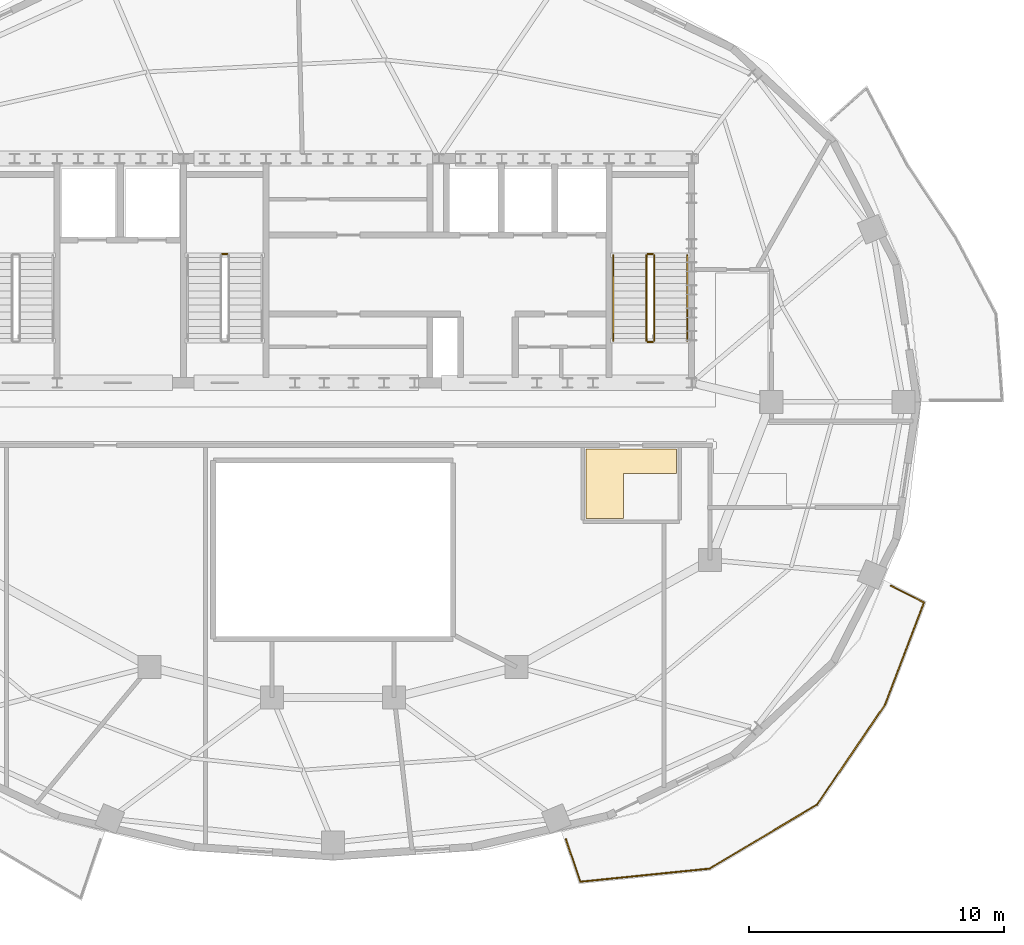
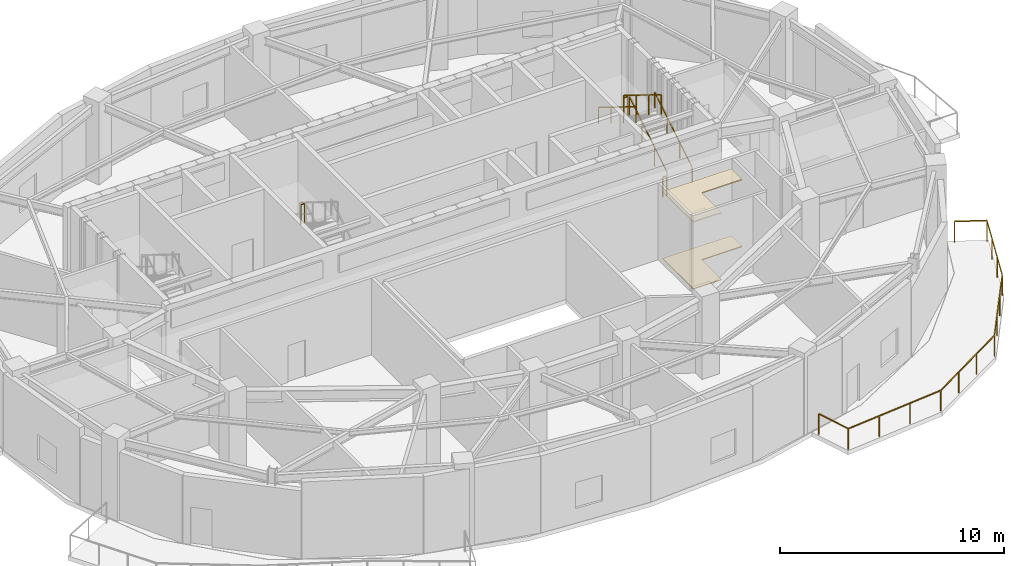
# One storey, part 8 of 9: 8 railings, 2 coverings.
"""IFC4 building model written with IfcOpenShell, lengths in metres."""

from ifc_helpers import new_model, si_unit, direction, frame, origin, origin_2d, place, context, subcontext, project, spatial, polyline, rectangle, outline, extrude, material, layer, layer_set, type_object, element, save


model = new_model("IFC4")

# Units and contexts
model_context = context("Model", 3, precision=1e-05, world=origin(), true_north=direction((0.0, 1.0)))
body_context = subcontext(model_context, "Body", "Model", "MODEL_VIEW")
ifc_project = project(units=[si_unit("LENGTHUNIT", "METRE"), si_unit("AREAUNIT", "SQUARE_METRE"), si_unit("VOLUMEUNIT", "CUBIC_METRE"), si_unit("PLANEANGLEUNIT", "RADIAN"), si_unit("MASSUNIT", "GRAM", prefix="KILO")], contexts=[model_context])

# Site, building, storey
site_placement = place(None, origin())
site = spatial("IfcSite", under=ifc_project, at=site_placement, CompositionType="ELEMENT")
building_placement = place(site_placement, origin())
building = spatial("IfcBuilding", under=site, at=building_placement, Name="Haldorwick Loom Tower", CompositionType="ELEMENT")
storey_placement = place(building_placement, frame((0.0, 0.0, 282.0)))
storey = spatial("IfcBuildingStorey", under=building, at=storey_placement, Name="L76", CompositionType="ELEMENT", Elevation=282.0)

# Coverings
ifc_material_1 = material(Name="Mineral Fibre Acoustic Ceiling Tile")
ifc_layer_1 = layer(ifc_material_1, 0.054931640625, Name="Mineral Fibre Acoustic Ceiling Tile")
ifc_layer_set_1 = layer_set([ifc_layer_1], Name="Mineral Fibre Acoustic Ceiling Tile")
covering_type_1 = type_object("IfcCoveringType", Name="ARC-COV-CEIL2", PredefinedType="CEILING", material=ifc_layer_set_1)
covering_1_placement = place(storey_placement, frame((0.0, 0.0, 3.64501953125)))
element("IfcCovering", 1, at=covering_1_placement, inside=storey, type_object=covering_type_1, Name="L76 Acoustic Suspended Ceiling 2", PredefinedType="CEILING", context=body_context, shape_type="SweptSolid", body=[
    extrude(outline(polyline([(45.929931640625, 24.159912109375), (45.929931640625, 21.429931640625), (47.39990234375, 21.429931640625), (47.39990234375, 23.199951171875), (49.469970703125, 23.199951171875), (49.469970703125, 24.159912109375), (45.929931640625, 24.159912109375)])), origin(), (0.0, 0.0, 1.0), 0.054931640625),
])
ifc_material_2 = material(Name="Polished Aggregate Terrazzo Finish")
ifc_layer_2 = layer(ifc_material_2, 0.044921875, Name="Polished Aggregate Terrazzo Finish")
ifc_layer_set_2 = layer_set([ifc_layer_2], Name="Polished Aggregate Terrazzo Finish")
covering_type_2 = type_object("IfcCoveringType", Name="ARC-COV-FLOOR2", PredefinedType="FLOORING", material=ifc_layer_set_2)
covering_2_placement = place(storey_placement, origin())
element("IfcCovering", 2, at=covering_2_placement, inside=storey, type_object=covering_type_2, Name="L76 Floor Finish 2", PredefinedType="FLOORING", context=body_context, shape_type="SweptSolid", body=[
    extrude(outline(polyline([(45.929931640625, 24.159912109375), (45.929931640625, 21.429931640625), (47.39990234375, 21.429931640625), (47.39990234375, 23.199951171875), (49.469970703125, 23.199951171875), (49.469970703125, 24.159912109375), (45.929931640625, 24.159912109375)])), origin(), (0.0, 0.0, 1.0), 0.044921875),
])

# Railings
ifc_material_3 = material(Name="Galvanized Steel CSA G40.21 350W", Category="steel")
railing_type_1 = type_object("IfcRailingType", Name="ARC-RLG-BAL115", PredefinedType="BALUSTRADE", material=ifc_material_3)
railing_1_placement = place(storey_placement, frame((57.896728515625, 18.78564453125, 0.0)))
element("IfcRailing", 3, at=railing_1_placement, inside=storey, type_object=railing_type_1, Name="L76 Outdoor Terrace Guardrail SLB-L76-BAL_SE-1", PredefinedType="BALUSTRADE", context=body_context, shape_type="SweptSolid", body=[
    extrude(rectangle(XDim=0.048095703125, YDim=0.048095703125, at=origin_2d()), frame((0.0, 0.0, 1.1259765625), z_axis=(0.891886326433, -0.452259638616, 0.0), x_axis=(0.452259638616, 0.891886326433, 0.0)), (0.0, 0.0, 1.0), 1.449462890625),
    extrude(rectangle(XDim=0.048095703125, YDim=0.048095703125, at=origin_2d()), frame((1.292724609375, -0.655517578125, 1.1259765625), z_axis=(-0.35620780391, -0.934406763906, 0.0), x_axis=(0.934406763906, -0.35620780391, 0.0)), (0.0, 0.0, 1.0), 4.300048828125),
    extrude(rectangle(XDim=0.048095703125, YDim=0.048095703125, at=origin_2d()), frame((-0.239013671875, -4.673583984375, 1.1259765625), z_axis=(-0.562345305893, -0.826902507518, 0.0), x_axis=(0.826902507518, -0.562345305893, 0.0)), (0.0, 0.0, 1.0), 4.7314453125),
    extrude(rectangle(XDim=0.048095703125, YDim=0.048095703125, at=origin_2d()), frame((-2.899658203125, -8.5859375, 1.1259765625), z_axis=(-0.859224739897, -0.511598325202, 0.0), x_axis=(0.511598325202, -0.859224739897, 0.0)), (0.0, 0.0, 1.0), 4.911865234375),
    extrude(rectangle(XDim=0.048095703125, YDim=0.048095703125, at=origin_2d()), frame((-7.1201171875, -11.098876953125, 1.1259765625), z_axis=(-0.994865977109, -0.101201223264, 0.0), x_axis=(0.101201223264, -0.994865977109, 0.0)), (0.0, 0.0, 1.0), 5.097412109375),
    extrude(rectangle(XDim=0.048095703125, YDim=0.048095703125, at=origin_2d()), frame((-12.19140625, -11.61474609375, 1.1259765625), z_axis=(-0.32039470728, 0.947284134538, 0.0), x_axis=(-0.947284134538, -0.32039470728, 0.0)), (0.0, 0.0, 1.0), 1.75634765625),
    extrude(rectangle(XDim=0.0419921875, YDim=0.0419921875, at=origin_2d()), origin(), (0.0, 0.0, 1.0), 1.101806640625),
    extrude(rectangle(XDim=0.0419921875, YDim=0.0419921875, at=origin_2d()), frame((1.292724609375, -0.655517578125, 0.0)), (0.0, 0.0, 1.0), 1.101806640625),
    extrude(rectangle(XDim=0.0419921875, YDim=0.0419921875, at=origin_2d()), frame((0.7822265625, -1.994873046875, 0.0)), (0.0, 0.0, 1.0), 1.101806640625),
    extrude(rectangle(XDim=0.0419921875, YDim=0.0419921875, at=origin_2d()), frame((0.271484375, -3.334228515625, 0.0)), (0.0, 0.0, 1.0), 1.101806640625),
    extrude(rectangle(XDim=0.0419921875, YDim=0.0419921875, at=origin_2d()), frame((-0.239013671875, -4.673583984375, 0.0)), (0.0, 0.0, 1.0), 1.101806640625),
    extrude(rectangle(XDim=0.0419921875, YDim=0.0419921875, at=origin_2d()), frame((-1.1259765625, -5.977783203125, 0.0)), (0.0, 0.0, 1.0), 1.101806640625),
    extrude(rectangle(XDim=0.0419921875, YDim=0.0419921875, at=origin_2d()), frame((-2.0126953125, -7.28173828125, 0.0)), (0.0, 0.0, 1.0), 1.101806640625),
    extrude(rectangle(XDim=0.0419921875, YDim=0.0419921875, at=origin_2d()), frame((-2.899658203125, -8.5859375, 0.0)), (0.0, 0.0, 1.0), 1.101806640625),
    extrude(rectangle(XDim=0.0419921875, YDim=0.0419921875, at=origin_2d()), frame((-4.306396484375, -9.423583984375, 0.0)), (0.0, 0.0, 1.0), 1.101806640625),
    extrude(rectangle(XDim=0.0419921875, YDim=0.0419921875, at=origin_2d()), frame((-5.71337890625, -10.26123046875, 0.0)), (0.0, 0.0, 1.0), 1.101806640625),
    extrude(rectangle(XDim=0.0419921875, YDim=0.0419921875, at=origin_2d()), frame((-7.1201171875, -11.098876953125, 0.0)), (0.0, 0.0, 1.0), 1.101806640625),
    extrude(rectangle(XDim=0.0419921875, YDim=0.0419921875, at=origin_2d()), frame((-8.810546875, -11.270751953125, 0.0)), (0.0, 0.0, 1.0), 1.101806640625),
    extrude(rectangle(XDim=0.0419921875, YDim=0.0419921875, at=origin_2d()), frame((-10.5009765625, -11.44287109375, 0.0)), (0.0, 0.0, 1.0), 1.101806640625),
    extrude(rectangle(XDim=0.0419921875, YDim=0.0419921875, at=origin_2d()), frame((-12.19140625, -11.61474609375, 0.0)), (0.0, 0.0, 1.0), 1.101806640625),
    extrude(rectangle(XDim=0.0419921875, YDim=0.0419921875, at=origin_2d()), frame((-12.754150390625, -9.950927734375, 0.0)), (0.0, 0.0, 1.0), 1.101806640625),
])
ifc_material_4 = material(Name="Steel CSA G40.21 350W", Category="steel")
railing_type_2 = type_object("IfcRailingType", Name="ARC-RLG-GUARD112", PredefinedType="GUARDRAIL", material=ifc_material_4)
railing_2_placement = place(storey_placement, frame((48.60009765625, 28.39990234375, 0.173095703125)))
element("IfcRailing", 4, at=railing_2_placement, inside=storey, type_object=railing_type_2, Name="L76 ST-02 stair guard 1", PredefinedType="GUARDRAIL", context=body_context, shape_type="SweptSolid", body=[
    extrude(rectangle(XDim=0.048095703125, YDim=0.048095703125, at=origin_2d()), frame((0.0, 0.0, 1.076171875), z_axis=(0.0, 0.850623216509, 0.525775754039), x_axis=(-1.0, 0.0, 0.0)), (0.0, 0.0, 1.0), 3.9501953125),
    extrude(rectangle(XDim=0.0419921875, YDim=0.0419921875, at=origin_2d()), origin(), (0.0, 0.0, 1.0), 1.052001953125),
    extrude(rectangle(XDim=0.0419921875, YDim=0.0419921875, at=origin_2d()), frame((0.0, 1.1201171875, 0.6923828125)), (0.0, 0.0, 1.0), 1.052001953125),
    extrude(rectangle(XDim=0.0419921875, YDim=0.0419921875, at=origin_2d()), frame((0.0, 2.239990234375, 1.384521484375)), (0.0, 0.0, 1.0), 1.052001953125),
    extrude(rectangle(XDim=0.0419921875, YDim=0.0419921875, at=origin_2d()), frame((0.0, 3.360107421875, 2.076904296875)), (0.0, 0.0, 1.0), 1.052001953125),
])
railing_3_placement = place(storey_placement, frame((48.550048828125, 31.81005859375, 2.25)))
element("IfcRailing", 5, at=railing_3_placement, inside=storey, type_object=railing_type_2, Name="L76 ST-02 stair guard 2", PredefinedType="GUARDRAIL", context=body_context, shape_type="SweptSolid", body=[
    extrude(rectangle(XDim=0.048095703125, YDim=0.048095703125, at=origin_2d()), frame((0.0, 0.0, 1.076171875), z_axis=(-1.0, 0.0, 0.0), x_axis=(0.0, -1.0, 0.0)), (0.0, 0.0, 1.0), 0.199951171875),
    extrude(rectangle(XDim=0.0419921875, YDim=0.0419921875, at=origin_2d()), origin(), (0.0, 0.0, 1.0), 1.052001953125),
    extrude(rectangle(XDim=0.0419921875, YDim=0.0419921875, at=origin_2d()), frame((-0.199951171875, 0.0, 0.0)), (0.0, 0.0, 1.0), 1.052001953125),
])
railing_4_placement = place(storey_placement, frame((48.300048828125, 31.760009765625, 2.423095703125)))
element("IfcRailing", 6, at=railing_4_placement, inside=storey, type_object=railing_type_2, Name="L76 ST-02 stair guard 3", PredefinedType="GUARDRAIL", context=body_context, shape_type="SweptSolid", body=[
    extrude(rectangle(XDim=0.048095703125, YDim=0.048095703125, at=origin_2d()), frame((0.0, 0.0, 1.076171875), z_axis=(0.0, -0.850623216509, 0.525775754039), x_axis=(1.0, 0.0, 0.0)), (0.0, 0.0, 1.0), 3.9501953125),
    extrude(rectangle(XDim=0.0419921875, YDim=0.0419921875, at=origin_2d()), origin(), (0.0, 0.0, 1.0), 1.052001953125),
    extrude(rectangle(XDim=0.0419921875, YDim=0.0419921875, at=origin_2d()), frame((0.0, -1.1201171875, 0.6923828125)), (0.0, 0.0, 1.0), 1.052001953125),
    extrude(rectangle(XDim=0.0419921875, YDim=0.0419921875, at=origin_2d()), frame((0.0, -2.239990234375, 1.384521484375)), (0.0, 0.0, 1.0), 1.052001953125),
    extrude(rectangle(XDim=0.0419921875, YDim=0.0419921875, at=origin_2d()), frame((0.0, -3.360107421875, 2.076904296875)), (0.0, 0.0, 1.0), 1.052001953125),
])
railing_5_placement = place(storey_placement, frame((48.550048828125, 28.35009765625, 0.0)))
element("IfcRailing", 7, at=railing_5_placement, inside=storey, type_object=railing_type_2, Name="L76 ST-02 stair guard 4", PredefinedType="GUARDRAIL", context=body_context, shape_type="SweptSolid", body=[
    extrude(rectangle(XDim=0.048095703125, YDim=0.048095703125, at=origin_2d()), frame((0.0, 0.0, 1.076171875), z_axis=(-1.0, 0.0, 0.0), x_axis=(0.0, -1.0, 0.0)), (0.0, 0.0, 1.0), 0.199951171875),
    extrude(rectangle(XDim=0.0419921875, YDim=0.0419921875, at=origin_2d()), origin(), (0.0, 0.0, 1.0), 1.052001953125),
    extrude(rectangle(XDim=0.0419921875, YDim=0.0419921875, at=origin_2d()), frame((-0.199951171875, 0.0, 0.0)), (0.0, 0.0, 1.0), 1.052001953125),
])
railing_6_placement = place(storey_placement, frame((31.85009765625, 31.81005859375, 2.25)))
element("IfcRailing", 8, at=railing_6_placement, inside=storey, type_object=railing_type_2, Name="L76 ST-03 stair guard 2", PredefinedType="GUARDRAIL", context=body_context, shape_type="SweptSolid", body=[
    extrude(rectangle(XDim=0.048095703125, YDim=0.048095703125, at=origin_2d()), frame((0.0, 0.0, 1.076171875), z_axis=(-1.0, 0.0, 0.0), x_axis=(0.0, -1.0, 0.0)), (0.0, 0.0, 1.0), 0.2001953125),
    extrude(rectangle(XDim=0.0419921875, YDim=0.0419921875, at=origin_2d()), origin(), (0.0, 0.0, 1.0), 1.052001953125),
    extrude(rectangle(XDim=0.0419921875, YDim=0.0419921875, at=origin_2d()), frame((-0.2001953125, 0.0, 0.0)), (0.0, 0.0, 1.0), 1.052001953125),
])
railing_type_3 = type_object("IfcRailingType", Name="ARC-RLG-HAND092", PredefinedType="HANDRAIL", material=ifc_material_4)
railing_7_placement = place(storey_placement, frame((49.89990234375, 28.39990234375, 0.173095703125)))
element("IfcRailing", 9, at=railing_7_placement, inside=storey, type_object=railing_type_3, Name="L76 ST-02 stair handrail 1", PredefinedType="HANDRAIL", context=body_context, shape_type="SweptSolid", body=[
    extrude(rectangle(XDim=0.048095703125, YDim=0.048095703125, at=origin_2d()), frame((0.0, 0.0, 0.8759765625), z_axis=(0.0, 0.850623216509, 0.525775754039), x_axis=(-1.0, 0.0, 0.0)), (0.0, 0.0, 1.0), 3.9501953125),
    extrude(rectangle(XDim=0.0419921875, YDim=0.0419921875, at=origin_2d()), origin(), (0.0, 0.0, 1.0), 0.851806640625),
    extrude(rectangle(XDim=0.0419921875, YDim=0.0419921875, at=origin_2d()), frame((0.0, 1.1201171875, 0.6923828125)), (0.0, 0.0, 1.0), 0.851806640625),
    extrude(rectangle(XDim=0.0419921875, YDim=0.0419921875, at=origin_2d()), frame((0.0, 2.239990234375, 1.384521484375)), (0.0, 0.0, 1.0), 0.851806640625),
    extrude(rectangle(XDim=0.0419921875, YDim=0.0419921875, at=origin_2d()), frame((0.0, 3.360107421875, 2.076904296875)), (0.0, 0.0, 1.0), 0.851806640625),
])
railing_8_placement = place(storey_placement, frame((47.0, 31.760009765625, 2.423095703125)))
element("IfcRailing", 10, at=railing_8_placement, inside=storey, type_object=railing_type_3, Name="L76 ST-02 stair handrail 2", PredefinedType="HANDRAIL", context=body_context, shape_type="SweptSolid", body=[
    extrude(rectangle(XDim=0.048095703125, YDim=0.048095703125, at=origin_2d()), frame((0.0, 0.0, 0.8759765625), z_axis=(0.0, -0.850623216509, 0.525775754039), x_axis=(1.0, 0.0, 0.0)), (0.0, 0.0, 1.0), 3.9501953125),
    extrude(rectangle(XDim=0.0419921875, YDim=0.0419921875, at=origin_2d()), origin(), (0.0, 0.0, 1.0), 0.851806640625),
    extrude(rectangle(XDim=0.0419921875, YDim=0.0419921875, at=origin_2d()), frame((0.0, -1.1201171875, 0.6923828125)), (0.0, 0.0, 1.0), 0.851806640625),
    extrude(rectangle(XDim=0.0419921875, YDim=0.0419921875, at=origin_2d()), frame((0.0, -2.239990234375, 1.384521484375)), (0.0, 0.0, 1.0), 0.851806640625),
    extrude(rectangle(XDim=0.0419921875, YDim=0.0419921875, at=origin_2d()), frame((0.0, -3.360107421875, 2.076904296875)), (0.0, 0.0, 1.0), 0.851806640625),
])

save(model, "model.ifc")
